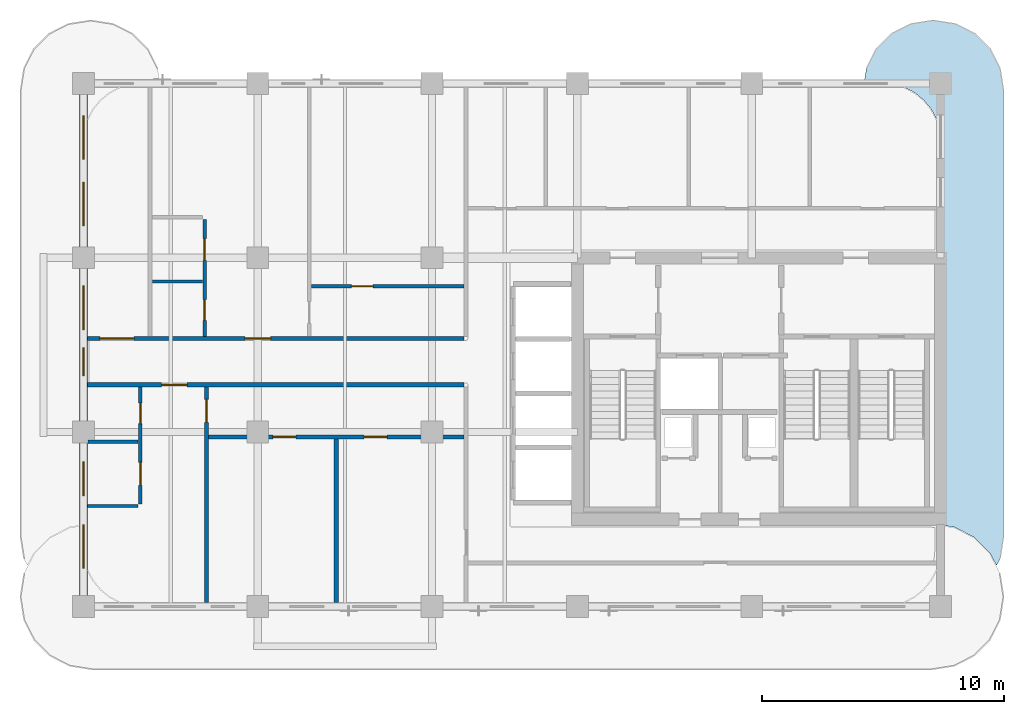
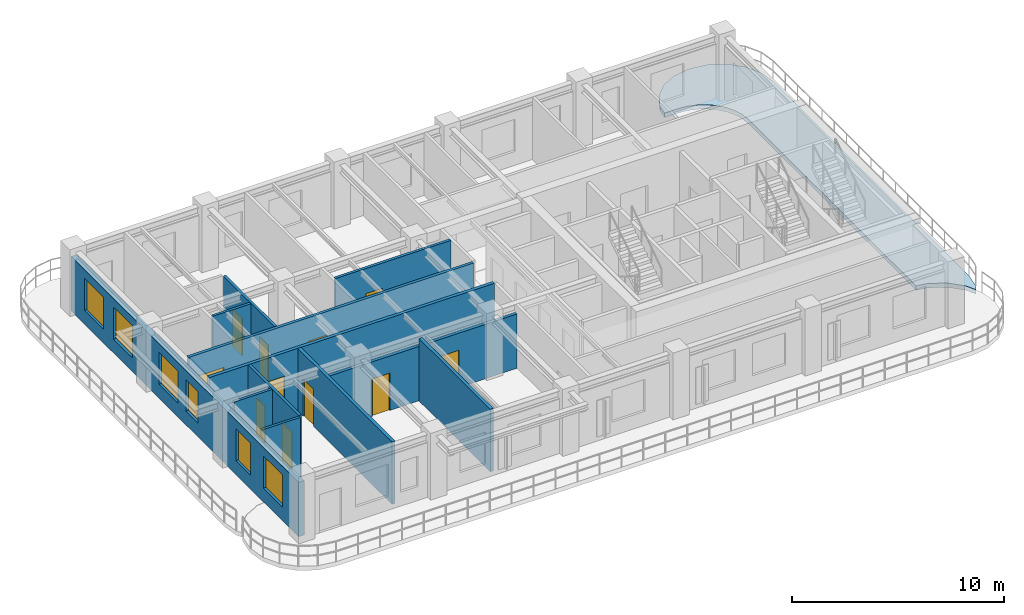
# One storey, part 2 of 7: 12 walls, 11 doors, 6 windows, 1 slab, 17 openings.
"""IFC4 building model written with IfcOpenShell, lengths in metres."""

from ifc_helpers import new_model, si_unit, derived_unit, direction, frame, frame_2d, origin, place, context, subcontext, project, spatial, polyline, rectangle, outline, extrude, source, transform, mapped, material, layer, layer_set, type_object, type_shapes, element, fill, save


model = new_model("IFC4")

# Units and contexts
model_context = context("Model", 3, precision=1e-05, world=origin(), true_north=direction((0.0, 1.0)))
body_context = subcontext(model_context, "Body", "Model", "MODEL_VIEW")
ifc_project = project(units=[si_unit("LENGTHUNIT", "METRE"), si_unit("AREAUNIT", "SQUARE_METRE"), si_unit("VOLUMEUNIT", "CUBIC_METRE"), si_unit("PLANEANGLEUNIT", "RADIAN"), si_unit("MASSUNIT", "GRAM", prefix="KILO"), si_unit("THERMODYNAMICTEMPERATUREUNIT", "KELVIN"), si_unit("POWERUNIT", "WATT"), derived_unit("THERMALTRANSMITTANCEUNIT", [(si_unit("POWERUNIT", "WATT"), 1), (si_unit("AREAUNIT", "SQUARE_METRE"), -1), (si_unit("THERMODYNAMICTEMPERATUREUNIT", "KELVIN"), -1)])], contexts=[model_context])

# Site, building, storey
site_placement = place(None, origin())
site = spatial("IfcSite", under=ifc_project, at=site_placement, CompositionType="ELEMENT")
building_placement = place(site_placement, origin())
building = spatial("IfcBuilding", under=site, at=building_placement, Name="Zahravan Archway Hotel and Residences", CompositionType="ELEMENT")
storey_placement = place(building_placement, frame((0.0, 0.0, 217.300048828125)))
storey = spatial("IfcBuildingStorey", under=building, at=storey_placement, Name="L54", CompositionType="ELEMENT", Elevation=217.300048828125)

# Slab
ifc_material_1 = material(Name="Concrete C45/55", Category="concrete")
ifc_layer_1 = layer(ifc_material_1, 0.25, Name="Concrete C45/55", Category="concrete")
ifc_layer_set_1 = layer_set([ifc_layer_1], Name="Concrete C45/55")
slab_type = type_object("IfcSlabType", Name="SLB-BALC-250", PredefinedType="FLOOR", material=ifc_layer_set_1)
slab_placement = place(storey_placement, frame((0.0, 0.0, -0.25)))
element("IfcSlab", 1, at=slab_placement, inside=storey, type_object=slab_type, Name="L54 Wing A East Rounded Balcony Band", PredefinedType="FLOOR", context=body_context, shape_type="SweptSolid", body=[
    extrude(outline(polyline([(46.739501953125, 22.230712890625), (47.144287109375, 23.025146484375), (47.77490234375, 23.65576171875), (48.5693359375, 24.060546875), (49.449951171875, 24.199951171875), (49.550048828125, 24.199951171875), (50.4306640625, 24.060546875), (51.22509765625, 23.65576171875), (51.855712890625, 23.025146484375), (52.260498046875, 22.230712890625), (52.39990234375, 21.35009765625), (52.39990234375, 2.85009765625), (52.260498046875, 1.96923828125), (52.114501953125, 1.6826171875), (51.8544921875, 2.193115234375), (51.853515625, 2.19482421875), (51.85205078125, 2.196533203125), (51.8505859375, 2.197998046875), (51.197998046875, 2.8505859375), (51.196533203125, 2.85205078125), (51.19482421875, 2.853515625), (51.193115234375, 2.8544921875), (50.37060546875, 3.2734375), (50.368896484375, 3.2744140625), (50.36669921875, 3.27490234375), (50.36474609375, 3.275390625), (49.822998046875, 3.361083984375), (49.8212890625, 3.361328125), (49.820068359375, 3.361328125), (49.820068359375, 19.199951171875), (49.81982421875, 19.201904296875), (49.773681640625, 19.670166015625), (49.7734375, 19.672119140625), (49.77294921875, 19.674072265625), (49.636474609375, 20.124267578125), (49.6357421875, 20.126220703125), (49.635009765625, 20.127685546875), (49.4130859375, 20.542724609375), (49.412109375, 20.54443359375), (49.410888671875, 20.546142578125), (49.112548828125, 20.909912109375), (49.111083984375, 20.9111328125), (49.10986328125, 20.91259765625), (48.74609375, 21.2109375), (48.744384765625, 21.212158203125), (48.742919921875, 21.213134765625), (48.327880859375, 21.434814453125), (48.326171875, 21.435791015625), (48.32421875, 21.436279296875), (47.8740234375, 21.572998046875), (47.8720703125, 21.573486328125), (47.8701171875, 21.57373046875), (47.402099609375, 21.619873046875), (47.39990234375, 21.6201171875), (46.642822265625, 21.6201171875), (46.739501953125, 22.230712890625)])), origin(), (0.0, 0.0, 1.0), 0.25),
])

# Wall, openings, windows
ifc_material_2 = material(Name="Agra Buff Sandstone & Insulated Backup", Category="masonry")
ifc_layer_2 = layer(ifc_material_2, 0.320068359375, Name="Agra Buff Sandstone & Insulated Backup", Category="masonry")
ifc_layer_set_2 = layer_set([ifc_layer_2], Name="Agra Buff Sandstone & Insulated Backup")
wall_type_1 = type_object("IfcWallType", Name="EW-SAND-320", PredefinedType="SOLIDWALL", material=ifc_layer_set_2)
wall_1_placement = place(storey_placement, frame((14.39990234375, 0.050048828125, 0.0), z_axis=(0.0, 0.0, 1.0), x_axis=(0.0, 1.0, 0.0)))
wall_1 = element("IfcWall", 2, at=wall_1_placement, inside=storey, type_object=wall_type_1, Name="L54 Exterior Sandstone Wall WA-W", PredefinedType="SOLIDWALL", context=body_context, shape_type="SweptSolid", body=[
    extrude(rectangle(XDim=21.5, YDim=0.320068359375, at=frame_2d((10.75, 0.0))), origin(), (0.0, 0.0, 1.0), 3.135009765625),
])
opening_1_placement = place(wall_1_placement, frame((1.52099609375, 0.0, 0.800048828125)))
opening_1 = element("IfcOpeningElement", 3, at=opening_1_placement, cuts=wall_1, Name="Opening W-02", PredefinedType="OPENING", context=body_context, shape_type="SweptSolid", body=[
    extrude(rectangle(XDim=1.800048828125, YDim=1.85009765625, at=frame_2d((0.89990234375, 0.925048828125))), frame((0.0, 0.169921875, 0.0), z_axis=(0.0, -1.0, 0.0), x_axis=(1.0, 0.0, 0.0)), (0.0, 0.0, 1.0), 0.340087890625),
])
opening_2_placement = place(wall_1_placement, frame((4.529052734375, 0.0, 0.800048828125)))
opening_2 = element("IfcOpeningElement", 4, at=opening_2_placement, cuts=wall_1, Name="Opening W-03", PredefinedType="OPENING", context=body_context, shape_type="SweptSolid", body=[
    extrude(rectangle(XDim=1.39990234375, YDim=1.85009765625, at=frame_2d((0.699951171875, 0.925048828125))), frame((0.0, 0.169921875, 0.0), z_axis=(0.0, -1.0, 0.0), x_axis=(1.0, 0.0, 0.0)), (0.0, 0.0, 1.0), 0.340087890625),
])
opening_3_placement = place(wall_1_placement, frame((9.485107421875, 0.0, 0.800048828125)))
opening_3 = element("IfcOpeningElement", 5, at=opening_3_placement, cuts=wall_1, Name="Opening W-05", PredefinedType="OPENING", context=body_context, shape_type="SweptSolid", body=[
    extrude(rectangle(XDim=1.14990234375, YDim=1.800048828125, at=frame_2d((0.574951171875, 0.89990234375))), frame((0.0, 0.169921875, 0.0), z_axis=(0.0, -1.0, 0.0), x_axis=(1.0, 0.0, 0.0)), (0.0, 0.0, 1.0), 0.340087890625),
])
opening_4_placement = place(wall_1_placement, frame((11.388916015625, 0.0, 0.800048828125)))
opening_4 = element("IfcOpeningElement", 6, at=opening_4_placement, cuts=wall_1, Name="Opening W-02", PredefinedType="OPENING", context=body_context, shape_type="SweptSolid", body=[
    extrude(rectangle(XDim=1.800048828125, YDim=1.85009765625, at=frame_2d((0.89990234375, 0.925048828125))), frame((0.0, 0.169921875, 0.0), z_axis=(0.0, -1.0, 0.0), x_axis=(1.0, 0.0, 0.0)), (0.0, 0.0, 1.0), 0.340087890625),
])
opening_5_placement = place(wall_1_placement, frame((15.675048828125, 0.0, 0.800048828125)))
opening_5 = element("IfcOpeningElement", 7, at=opening_5_placement, cuts=wall_1, Name="Opening W-02", PredefinedType="OPENING", context=body_context, shape_type="SweptSolid", body=[
    extrude(rectangle(XDim=1.800048828125, YDim=1.85009765625, at=frame_2d((0.89990234375, 0.925048828125))), frame((0.0, 0.169921875, 0.0), z_axis=(0.0, -1.0, 0.0), x_axis=(1.0, 0.0, 0.0)), (0.0, 0.0, 1.0), 0.340087890625),
])
opening_6_placement = place(wall_1_placement, frame((18.425048828125, 0.0, 0.800048828125)))
opening_6 = element("IfcOpeningElement", 8, at=opening_6_placement, cuts=wall_1, Name="Opening W-02", PredefinedType="OPENING", context=body_context, shape_type="SweptSolid", body=[
    extrude(rectangle(XDim=1.800048828125, YDim=1.85009765625, at=frame_2d((0.89990234375, 0.925048828125))), frame((0.0, 0.169921875, 0.0), z_axis=(0.0, -1.0, 0.0), x_axis=(1.0, 0.0, 0.0)), (0.0, 0.0, 1.0), 0.340087890625),
])
ifc_material_3 = material(Name="Bronze-Anodized Thermal-Break Aluminium & Low-E Glass", Category="aluminium")
window_type_1 = type_object("IfcWindowType", Name="WIN-TWR-1400", PartitioningType="SINGLE_PANEL", PredefinedType="WINDOW", material=ifc_material_3)
shared_shape_1 = source(origin(), body_context, "Body", "SweptSolid", [
    extrude(rectangle(XDim=1.39990234375, YDim=1.85009765625, at=frame_2d((0.699951171875, 0.925048828125))), frame((0.0, 0.030029296875, 0.0), z_axis=(0.0, -1.0, 0.0), x_axis=(1.0, 0.0, 0.0)), (0.0, 0.0, 1.0), 0.06005859375),
])
type_shapes(window_type_1, [shared_shape_1])
window_1_placement = place(opening_2_placement, origin())
window_1 = element("IfcWindow", 9, at=window_1_placement, inside=storey, type_object=window_type_1, Name="L54 Loggia Window 20", OverallHeight=1.85009765625, OverallWidth=1.39990234375, PartitioningType="SINGLE_PANEL", PredefinedType="WINDOW", context=body_context, shape_type="MappedRepresentation", body=[
    mapped(shared_shape_1, transform((0.0, 0.0, 0.0), scale=1.0)),
])
fill(opening_2, window_1)
window_type_2 = type_object("IfcWindowType", Name="WIN-TWR-1800", PartitioningType="DOUBLE_PANEL_VERTICAL", PredefinedType="WINDOW", material=ifc_material_3)
shared_shape_2 = source(origin(), body_context, "Body", "SweptSolid", [
    extrude(rectangle(XDim=1.800048828125, YDim=1.85009765625, at=frame_2d((0.89990234375, 0.925048828125))), frame((0.0, 0.030029296875, 0.0), z_axis=(0.0, -1.0, 0.0), x_axis=(1.0, 0.0, 0.0)), (0.0, 0.0, 1.0), 0.06005859375),
])
type_shapes(window_type_2, [shared_shape_2])
window_2_placement = place(opening_1_placement, origin())
window_2 = element("IfcWindow", 10, at=window_2_placement, inside=storey, type_object=window_type_2, Name="L54 Loggia Window 19", OverallHeight=1.85009765625, OverallWidth=1.800048828125, PartitioningType="DOUBLE_PANEL_VERTICAL", PredefinedType="WINDOW", context=body_context, shape_type="MappedRepresentation", body=[
    mapped(shared_shape_2, transform((0.0, 0.0, 0.0), scale=1.0)),
])
fill(opening_1, window_2)
window_3_placement = place(opening_4_placement, origin())
window_3 = element("IfcWindow", 11, at=window_3_placement, inside=storey, type_object=window_type_2, Name="L54 Loggia Window 22", OverallHeight=1.85009765625, OverallWidth=1.800048828125, PartitioningType="DOUBLE_PANEL_VERTICAL", PredefinedType="WINDOW", context=body_context, shape_type="MappedRepresentation", body=[
    mapped(shared_shape_2, transform((0.0, 0.0, 0.0), scale=1.0)),
])
fill(opening_4, window_3)
window_4_placement = place(opening_5_placement, origin())
window_4 = element("IfcWindow", 12, at=window_4_placement, inside=storey, type_object=window_type_2, Name="L54 Loggia Window 23", OverallHeight=1.85009765625, OverallWidth=1.800048828125, PartitioningType="DOUBLE_PANEL_VERTICAL", PredefinedType="WINDOW", context=body_context, shape_type="MappedRepresentation", body=[
    mapped(shared_shape_2, transform((0.0, 0.0, 0.0), scale=1.0)),
])
fill(opening_5, window_4)
window_5_placement = place(opening_6_placement, origin())
window_5 = element("IfcWindow", 13, at=window_5_placement, inside=storey, type_object=window_type_2, Name="L54 Loggia Window 24", OverallHeight=1.85009765625, OverallWidth=1.800048828125, PartitioningType="DOUBLE_PANEL_VERTICAL", PredefinedType="WINDOW", context=body_context, shape_type="MappedRepresentation", body=[
    mapped(shared_shape_2, transform((0.0, 0.0, 0.0), scale=1.0)),
])
fill(opening_6, window_5)
window_type_3 = type_object("IfcWindowType", Name="WIN-TWR-1150", PartitioningType="SINGLE_PANEL", PredefinedType="WINDOW", material=ifc_material_3)
shared_shape_3 = source(origin(), body_context, "Body", "SweptSolid", [
    extrude(rectangle(XDim=1.14990234375, YDim=1.800048828125, at=frame_2d((0.574951171875, 0.89990234375))), frame((0.0, 0.030029296875, 0.0), z_axis=(0.0, -1.0, 0.0), x_axis=(1.0, 0.0, 0.0)), (0.0, 0.0, 1.0), 0.06005859375),
])
type_shapes(window_type_3, [shared_shape_3])
window_6_placement = place(opening_3_placement, origin())
window_6 = element("IfcWindow", 14, at=window_6_placement, inside=storey, type_object=window_type_3, Name="L54 Loggia Window 21", OverallHeight=1.800048828125, OverallWidth=1.14990234375, PartitioningType="SINGLE_PANEL", PredefinedType="WINDOW", context=body_context, shape_type="MappedRepresentation", body=[
    mapped(shared_shape_3, transform((0.0, 0.0, 0.0), scale=1.0)),
])
fill(opening_3, window_6)

# Wall, openings, doors
ifc_material_4 = material(Name="Fire-Rated Gypsum & Concrete Block", Category="concrete")
ifc_layer_3 = layer(ifc_material_4, 0.159912109375, Name="Fire-Rated Gypsum & Concrete Block", Category="concrete")
ifc_layer_set_3 = layer_set([ifc_layer_3], Name="Fire-Rated Gypsum & Concrete Block")
wall_type_2 = type_object("IfcWallType", Name="PW-CORR-160", PredefinedType="PARTITIONING", material=ifc_layer_set_3)
wall_2_placement = place(storey_placement, frame((14.568115234375, 11.070068359375, 0.0), z_axis=(0.0, 0.0, 1.0), x_axis=(1.0, 0.0, 0.0)))
wall_2 = element("IfcWall", 15, at=wall_2_placement, inside=storey, type_object=wall_type_2, Name="L54 Partition WA-CN", PredefinedType="PARTITIONING", context=body_context, shape_type="SweptSolid", body=[
    extrude(rectangle(XDim=15.5419921875, YDim=0.159912109375, at=frame_2d((7.77099609375, 0.0))), origin(), (0.0, 0.0, 1.0), 3.599853515625),
])
opening_7_placement = place(wall_2_placement, frame((0.507080078125, 0.0, 0.0)))
opening_7 = element("IfcOpeningElement", 16, at=opening_7_placement, cuts=wall_2, Name="Opening D-P1", PredefinedType="OPENING", context=body_context, shape_type="SweptSolid", body=[
    extrude(rectangle(XDim=1.39990234375, YDim=2.35009765625, at=frame_2d((0.699951171875, 1.175048828125))), frame((0.0, 0.08984375, 0.0), z_axis=(0.0, -1.0, 0.0), x_axis=(1.0, 0.0, 0.0)), (0.0, 0.0, 1.0), 0.179931640625),
])
opening_8_placement = place(wall_2_placement, frame((6.507080078125, 0.0, 0.0)))
opening_8 = element("IfcOpeningElement", 17, at=opening_8_placement, cuts=wall_2, Name="Opening D-U1", PredefinedType="OPENING", context=body_context, shape_type="SweptSolid", body=[
    extrude(rectangle(XDim=1.050048828125, YDim=2.25, at=frame_2d((0.52490234375, 1.125))), frame((0.0, 0.08984375, 0.0), z_axis=(0.0, -1.0, 0.0), x_axis=(1.0, 0.0, 0.0)), (0.0, 0.0, 1.0), 0.179931640625),
])
ifc_material_5 = material(Name="Bronze-Anodized Glazed Aluminium", Category="aluminium")
door_type_1 = type_object("IfcDoorType", Name="ID-PUBLIC-1400", OperationType="DOUBLE_DOOR_SINGLE_SWING", PredefinedType="DOOR", material=ifc_material_5)
shared_shape_4 = source(origin(), body_context, "Body", "SweptSolid", [
    extrude(rectangle(XDim=1.39990234375, YDim=2.35009765625, at=frame_2d((0.699951171875, 1.175048828125))), frame((0.0, 0.02490234375, 0.0), z_axis=(0.0, -1.0, 0.0), x_axis=(1.0, 0.0, 0.0)), (0.0, 0.0, 1.0), 0.050048828125),
])
type_shapes(door_type_1, [shared_shape_4])
door_1_placement = place(opening_7_placement, origin())
door_1 = element("IfcDoor", 18, at=door_1_placement, inside=storey, type_object=door_type_1, Name="L54 North Sky Fitness Door", OperationType="DOUBLE_DOOR_SINGLE_SWING", OverallHeight=2.35009765625, OverallWidth=1.39990234375, PredefinedType="DOOR", context=body_context, shape_type="MappedRepresentation", body=[
    mapped(shared_shape_4, transform((0.0, 0.0, 0.0), scale=1.0)),
])
fill(opening_7, door_1)
ifc_material_6 = material(Name="Hardwood Veneer Timber", Category="wood")
door_type_2 = type_object("IfcDoorType", Name="ID-UNIT-1050", OperationType="NOTDEFINED", PredefinedType="DOOR", material=ifc_material_6)
shared_shape_5 = source(origin(), body_context, "Body", "SweptSolid", [
    extrude(rectangle(XDim=1.050048828125, YDim=2.25, at=frame_2d((0.52490234375, 1.125))), frame((0.0, 0.02490234375, 0.0), z_axis=(0.0, -1.0, 0.0), x_axis=(1.0, 0.0, 0.0)), (0.0, 0.0, 1.0), 0.050048828125),
])
type_shapes(door_type_2, [shared_shape_5])
door_2_placement = place(opening_8_placement, origin())
door_2 = element("IfcDoor", 19, at=door_2_placement, inside=storey, type_object=door_type_2, Name="L54 Flat N1 Entrance Door", OperationType="SINGLE_SWING_LEFT", OverallHeight=2.25, OverallWidth=1.050048828125, PredefinedType="DOOR", context=body_context, shape_type="MappedRepresentation", body=[
    mapped(shared_shape_5, transform((0.0, 0.0, 0.0), scale=1.0)),
])
fill(opening_8, door_2)

# Wall, opening, door
ifc_layer_4 = layer(ifc_material_4, 0.179931640625, Name="Fire-Rated Gypsum & Concrete Block", Category="concrete")
ifc_layer_set_4 = layer_set([ifc_layer_4], Name="Fire-Rated Gypsum & Concrete Block")
wall_type_3 = type_object("IfcWallType", Name="PW-CORR-180", PredefinedType="PARTITIONING", material=ifc_layer_set_4)
wall_3_placement = place(storey_placement, frame((14.568115234375, 9.14990234375, 0.0), z_axis=(0.0, 0.0, 1.0), x_axis=(1.0, 0.0, 0.0)))
wall_3 = element("IfcWall", 20, at=wall_3_placement, inside=storey, type_object=wall_type_3, Name="L54 Partition WA-CS", PredefinedType="PARTITIONING", context=body_context, shape_type="SweptSolid", body=[
    extrude(rectangle(XDim=15.5419921875, YDim=0.179931640625, at=frame_2d((7.77099609375, 0.0))), origin(), (0.0, 0.0, 1.0), 3.599853515625),
])
opening_9_placement = place(wall_3_placement, frame((3.06201171875, 0.0, 0.0)))
opening_9 = element("IfcOpeningElement", 21, at=opening_9_placement, cuts=wall_3, Name="Opening D-U1", PredefinedType="OPENING", context=body_context, shape_type="SweptSolid", body=[
    extrude(rectangle(XDim=1.050048828125, YDim=2.25, at=frame_2d((0.52490234375, 1.125))), frame((0.0, 0.10009765625, 0.0), z_axis=(0.0, -1.0, 0.0), x_axis=(1.0, 0.0, 0.0)), (0.0, 0.0, 1.0), 0.199951171875),
])
door_3_placement = place(opening_9_placement, origin())
door_3 = element("IfcDoor", 22, at=door_3_placement, inside=storey, type_object=door_type_2, Name="L54 Flat S1 Entrance Door", OperationType="SINGLE_SWING_LEFT", OverallHeight=2.25, OverallWidth=1.050048828125, PredefinedType="DOOR", context=body_context, shape_type="MappedRepresentation", body=[
    mapped(shared_shape_5, transform((0.0, 0.0, 0.0), scale=1.0)),
])
fill(opening_9, door_3)

ifc_material_7 = material(Name="Acoustic Stud Partition")
ifc_layer_5 = layer(ifc_material_7, 0.14990234375, Name="Acoustic Stud Partition")
ifc_layer_set_5 = layer_set([ifc_layer_5], Name="Acoustic Stud Partition")
wall_type_4 = type_object("IfcWallType", Name="PW-UNIT-150", PredefinedType="PARTITIONING", material=ifc_layer_set_5)
wall_4_placement = place(storey_placement, frame((23.81005859375, 13.219970703125, 0.0), z_axis=(0.0, 0.0, 1.0), x_axis=(1.0, 0.0, 0.0)))
wall_4 = element("IfcWall", 23, at=wall_4_placement, inside=storey, type_object=wall_type_4, Name="L54 Partition FL-N1-GH", PredefinedType="PARTITIONING", context=body_context, shape_type="SweptSolid", body=[
    extrude(rectangle(XDim=6.300048828125, YDim=0.14990234375, at=frame_2d((3.14990234375, 0.0))), origin(), (0.0, 0.0, 1.0), 3.599853515625),
])
opening_10_placement = place(wall_4_placement, frame((1.64990234375, 0.0, 0.0)))
opening_10 = element("IfcOpeningElement", 24, at=opening_10_placement, cuts=wall_4, Name="Opening D-I2", PredefinedType="OPENING", context=body_context, shape_type="SweptSolid", body=[
    extrude(rectangle(XDim=0.89990234375, YDim=2.14990234375, at=frame_2d((0.449951171875, 1.074951171875))), frame((0.0, 0.0849609375, 0.0), z_axis=(0.0, -1.0, 0.0), x_axis=(1.0, 0.0, 0.0)), (0.0, 0.0, 1.0), 0.169921875),
])
door_type_3 = type_object("IfcDoorType", Name="ID-INT-900", OperationType="NOTDEFINED", PredefinedType="DOOR", material=ifc_material_6)
shared_shape_6 = source(origin(), body_context, "Body", "SweptSolid", [
    extrude(rectangle(XDim=0.89990234375, YDim=2.14990234375, at=frame_2d((0.449951171875, 1.074951171875))), frame((0.0, 0.02490234375, 0.0), z_axis=(0.0, -1.0, 0.0), x_axis=(1.0, 0.0, 0.0)), (0.0, 0.0, 1.0), 0.050048828125),
])
type_shapes(door_type_3, [shared_shape_6])
door_4_placement = place(opening_10_placement, origin())
door_4 = element("IfcDoor", 25, at=door_4_placement, inside=storey, type_object=door_type_3, Name="L54 Flat N1 Bedroom 1 Door", OperationType="SINGLE_SWING_LEFT", OverallHeight=2.14990234375, OverallWidth=0.89990234375, PredefinedType="DOOR", context=body_context, shape_type="MappedRepresentation", body=[
    mapped(shared_shape_6, transform((0.0, 0.0, 0.0), scale=1.0)),
])
fill(opening_10, door_4)

ifc_layer_6 = layer(ifc_material_7, 0.169921875, Name="Acoustic Stud Partition")
ifc_layer_set_6 = layer_set([ifc_layer_6], Name="Acoustic Stud Partition")
wall_type_5 = type_object("IfcWallType", Name="PW-UNIT-170", PredefinedType="PARTITIONING", material=ifc_layer_set_6)
wall_5_placement = place(storey_placement, frame((19.47998046875, 0.16796875, 0.0), z_axis=(0.0, 0.0, 1.0), x_axis=(0.0, 1.0, 0.0)))
wall_5 = element("IfcWall", 26, at=wall_5_placement, inside=storey, type_object=wall_type_5, Name="L54 Partition FL-S1-SP", PredefinedType="PARTITIONING", context=body_context, shape_type="SweptSolid", body=[
    extrude(rectangle(XDim=8.89208984375, YDim=0.169921875, at=frame_2d((4.446044921875, 0.0))), origin(), (0.0, 0.0, 1.0), 3.599853515625),
])
opening_11_placement = place(wall_5_placement, frame((7.431884765625, 0.0, 0.0)))
opening_11 = element("IfcOpeningElement", 27, at=opening_11_placement, cuts=wall_5, Name="Opening D-I1", PredefinedType="OPENING", context=body_context, shape_type="SweptSolid", body=[
    extrude(rectangle(XDim=0.949951171875, YDim=2.14990234375, at=frame_2d((0.47509765625, 1.074951171875))), frame((0.0, 0.094970703125, 0.0), z_axis=(0.0, -1.0, 0.0), x_axis=(1.0, 0.0, 0.0)), (0.0, 0.0, 1.0), 0.18994140625),
])
door_type_4 = type_object("IfcDoorType", Name="ID-INT-950", OperationType="NOTDEFINED", PredefinedType="DOOR", material=ifc_material_6)
shared_shape_7 = source(origin(), body_context, "Body", "SweptSolid", [
    extrude(rectangle(XDim=0.949951171875, YDim=2.14990234375, at=frame_2d((0.47509765625, 1.074951171875))), frame((0.0, 0.02490234375, 0.0), z_axis=(0.0, -1.0, 0.0), x_axis=(1.0, 0.0, 0.0)), (0.0, 0.0, 1.0), 0.050048828125),
])
type_shapes(door_type_4, [shared_shape_7])
door_5_placement = place(opening_11_placement, origin())
door_5 = element("IfcDoor", 28, at=door_5_placement, inside=storey, type_object=door_type_4, Name="L54 Flat S1 Bedroom Hall Door", OperationType="SINGLE_SWING_RIGHT", OverallHeight=2.14990234375, OverallWidth=0.949951171875, PredefinedType="DOOR", context=body_context, shape_type="MappedRepresentation", body=[
    mapped(shared_shape_7, transform((0.0, 0.0, 0.0), scale=1.0)),
])
fill(opening_11, door_5)

# Wall, openings, doors
wall_6_placement = place(storey_placement, frame((19.570068359375, 7.0, 0.0), z_axis=(0.0, 0.0, 1.0), x_axis=(1.0, 0.0, 0.0)))
wall_6 = element("IfcWall", 29, at=wall_6_placement, inside=storey, type_object=wall_type_5, Name="L54 Partition FL-S1-GH", PredefinedType="PARTITIONING", context=body_context, shape_type="SweptSolid", body=[
    extrude(rectangle(XDim=10.5400390625, YDim=0.169921875, at=frame_2d((5.27001953125, 0.0))), origin(), (0.0, 0.0, 1.0), 3.135009765625),
])
opening_12_placement = place(wall_6_placement, frame((2.6552734375, 0.0, 0.0)))
opening_12 = element("IfcOpeningElement", 30, at=opening_12_placement, cuts=wall_6, Name="Opening D-I1", PredefinedType="OPENING", context=body_context, shape_type="SweptSolid", body=[
    extrude(rectangle(XDim=0.949951171875, YDim=2.14990234375, at=frame_2d((0.47509765625, 1.074951171875))), frame((0.0, 0.094970703125, 0.0), z_axis=(0.0, -1.0, 0.0), x_axis=(1.0, 0.0, 0.0)), (0.0, 0.0, 1.0), 0.18994140625),
])
opening_13_placement = place(wall_6_placement, frame((6.425048828125, 0.0, 0.0)))
opening_13 = element("IfcOpeningElement", 31, at=opening_13_placement, cuts=wall_6, Name="Opening D-I1", PredefinedType="OPENING", context=body_context, shape_type="SweptSolid", body=[
    extrude(rectangle(XDim=0.949951171875, YDim=2.14990234375, at=frame_2d((0.47509765625, 1.074951171875))), frame((0.0, 0.094970703125, 0.0), z_axis=(0.0, -1.0, 0.0), x_axis=(1.0, 0.0, 0.0)), (0.0, 0.0, 1.0), 0.18994140625),
])
door_6_placement = place(opening_12_placement, origin())
door_6 = element("IfcDoor", 32, at=door_6_placement, inside=storey, type_object=door_type_4, Name="L54 Flat S1 Bedroom 1 Door", OperationType="SINGLE_SWING_RIGHT", OverallHeight=2.14990234375, OverallWidth=0.949951171875, PredefinedType="DOOR", context=body_context, shape_type="MappedRepresentation", body=[
    mapped(shared_shape_7, transform((0.0, 0.0, 0.0), scale=1.0)),
])
fill(opening_12, door_6)
door_7_placement = place(opening_13_placement, origin())
door_7 = element("IfcDoor", 33, at=door_7_placement, inside=storey, type_object=door_type_4, Name="L54 Flat S1 Bedroom 2 Door", OperationType="SINGLE_SWING_RIGHT", OverallHeight=2.14990234375, OverallWidth=0.949951171875, PredefinedType="DOOR", context=body_context, shape_type="MappedRepresentation", body=[
    mapped(shared_shape_7, transform((0.0, 0.0, 0.0), scale=1.0)),
])
fill(opening_13, door_7)

# Wall
wall_7_placement = place(storey_placement, frame((24.840087890625, 0.16796875, 0.0), z_axis=(0.0, 0.0, 1.0), x_axis=(0.0, 1.0, 0.0)))
element("IfcWall", 34, at=wall_7_placement, inside=storey, type_object=wall_type_5, Name="L54 Partition FL-S1-BD1", PredefinedType="PARTITIONING", context=body_context, shape_type="SweptSolid", body=[
    extrude(rectangle(XDim=6.741943359375, YDim=0.169921875, at=frame_2d((3.37109375, 0.0))), origin(), (0.0, 0.0, 1.0), 3.599853515625),
])

# Wall, openings, doors
ifc_material_8 = material(Name="Moisture-Resistant Blockwork", Category="masonry")
ifc_layer_7 = layer(ifc_material_8, 0.139892578125, Name="Moisture-Resistant Blockwork", Category="masonry")
ifc_layer_set_7 = layer_set([ifc_layer_7], Name="Moisture-Resistant Blockwork")
wall_type_6 = type_object("IfcWallType", Name="PW-WET-140", PredefinedType="PARTITIONING", material=ifc_layer_set_7)
wall_8_placement = place(storey_placement, frame((16.75, 4.239990234375, 0.0), z_axis=(0.0, 0.0, 1.0), x_axis=(0.0, 1.0, 0.0)))
wall_8 = element("IfcWall", 35, at=wall_8_placement, inside=storey, type_object=wall_type_6, Name="L54 Partition FL-S1-BV", PredefinedType="PARTITIONING", context=body_context, shape_type="SweptSolid", body=[
    extrude(rectangle(XDim=4.820068359375, YDim=0.139892578125, at=frame_2d((2.41015625, 0.0))), origin(), (0.0, 0.0, 1.0), 3.599853515625),
])
opening_14_placement = place(wall_8_placement, frame((0.760009765625, 0.0, 0.0)))
opening_14 = element("IfcOpeningElement", 36, at=opening_14_placement, cuts=wall_8, Name="Opening D-I1", PredefinedType="OPENING", context=body_context, shape_type="SweptSolid", body=[
    extrude(rectangle(XDim=0.949951171875, YDim=2.14990234375, at=frame_2d((0.47509765625, 1.074951171875))), frame((0.0, 0.080078125, 0.0), z_axis=(0.0, -1.0, 0.0), x_axis=(1.0, 0.0, 0.0)), (0.0, 0.0, 1.0), 0.159912109375),
])
opening_15_placement = place(wall_8_placement, frame((3.31005859375, 0.0, 0.0)))
opening_15 = element("IfcOpeningElement", 37, at=opening_15_placement, cuts=wall_8, Name="Opening D-B1", PredefinedType="OPENING", context=body_context, shape_type="SweptSolid", body=[
    extrude(rectangle(XDim=0.85009765625, YDim=2.10009765625, at=frame_2d((0.425048828125, 1.050048828125))), frame((0.0, 0.080078125, 0.0), z_axis=(0.0, -1.0, 0.0), x_axis=(1.0, 0.0, 0.0)), (0.0, 0.0, 1.0), 0.159912109375),
])
door_type_5 = type_object("IfcDoorType", Name="ID-BATH-850", OperationType="NOTDEFINED", PredefinedType="DOOR", material=ifc_material_6)
shared_shape_8 = source(origin(), body_context, "Body", "SweptSolid", [
    extrude(rectangle(XDim=0.85009765625, YDim=2.10009765625, at=frame_2d((0.425048828125, 1.050048828125))), frame((0.0, 0.02490234375, 0.0), z_axis=(0.0, -1.0, 0.0), x_axis=(1.0, 0.0, 0.0)), (0.0, 0.0, 1.0), 0.050048828125),
])
type_shapes(door_type_5, [shared_shape_8])
door_8_placement = place(opening_15_placement, origin())
door_8 = element("IfcDoor", 38, at=door_8_placement, inside=storey, type_object=door_type_5, Name="L54 Flat S1 Bathroom Door", OperationType="SINGLE_SWING_RIGHT", OverallHeight=2.10009765625, OverallWidth=0.85009765625, PredefinedType="DOOR", context=body_context, shape_type="MappedRepresentation", body=[
    mapped(shared_shape_8, transform((0.0, 0.0, 0.0), scale=1.0)),
])
fill(opening_15, door_8)
door_9_placement = place(opening_14_placement, origin())
door_9 = element("IfcDoor", 39, at=door_9_placement, inside=storey, type_object=door_type_4, Name="L54 Flat S1 Kitchen Door", OperationType="SINGLE_SWING_LEFT", OverallHeight=2.14990234375, OverallWidth=0.949951171875, PredefinedType="DOOR", context=body_context, shape_type="MappedRepresentation", body=[
    mapped(shared_shape_7, transform((0.0, 0.0, 0.0), scale=1.0)),
])
fill(opening_14, door_9)

# Walls
wall_9_placement = place(storey_placement, frame((14.590087890625, 6.800048828125, 0.0), z_axis=(0.0, 0.0, 1.0), x_axis=(1.0, 0.0, 0.0)))
element("IfcWall", 40, at=wall_9_placement, inside=storey, type_object=wall_type_6, Name="L54 Partition FL-S1-BM", PredefinedType="PARTITIONING", context=body_context, shape_type="SweptSolid", body=[
    extrude(rectangle(XDim=2.06982421875, YDim=0.139892578125, at=frame_2d((1.034912109375, 0.0))), origin(), (0.0, 0.0, 1.0), 3.599853515625),
])
wall_10_placement = place(storey_placement, frame((14.568115234375, 4.14990234375, 0.0), z_axis=(0.0, 0.0, 1.0), x_axis=(1.0, 0.0, 0.0)))
element("IfcWall", 41, at=wall_10_placement, inside=storey, type_object=wall_type_6, Name="L54 Partition FL-S1-KH", PredefinedType="PARTITIONING", context=body_context, shape_type="SweptSolid", body=[
    extrude(rectangle(XDim=2.091796875, YDim=0.139892578125, at=frame_2d((1.0458984375, 0.0))), origin(), (0.0, 0.0, 1.0), 3.599853515625),
])

# Wall, openings, doors
wall_11_placement = place(storey_placement, frame((19.39990234375, 11.159912109375, 0.0), z_axis=(0.0, 0.0, 1.0), x_axis=(0.0, 1.0, 0.0)))
wall_11 = element("IfcWall", 42, at=wall_11_placement, inside=storey, type_object=wall_type_6, Name="L54 Partition FL-N1-BV", PredefinedType="PARTITIONING", context=body_context, shape_type="SweptSolid", body=[
    extrude(rectangle(XDim=4.820068359375, YDim=0.139892578125, at=frame_2d((2.41015625, 0.0))), origin(), (0.0, 0.0, 1.0), 3.599853515625),
])
opening_16_placement = place(wall_11_placement, frame((0.659912109375, 0.0, 0.0)))
opening_16 = element("IfcOpeningElement", 43, at=opening_16_placement, cuts=wall_11, Name="Opening D-B1", PredefinedType="OPENING", context=body_context, shape_type="SweptSolid", body=[
    extrude(rectangle(XDim=0.85009765625, YDim=2.10009765625, at=frame_2d((0.425048828125, 1.050048828125))), frame((0.0, 0.080078125, 0.0), z_axis=(0.0, -1.0, 0.0), x_axis=(1.0, 0.0, 0.0)), (0.0, 0.0, 1.0), 0.159912109375),
])
opening_17_placement = place(wall_11_placement, frame((3.135009765625, 0.0, 0.0)))
opening_17 = element("IfcOpeningElement", 44, at=opening_17_placement, cuts=wall_11, Name="Opening D-I2", PredefinedType="OPENING", context=body_context, shape_type="SweptSolid", body=[
    extrude(rectangle(XDim=0.89990234375, YDim=2.14990234375, at=frame_2d((0.449951171875, 1.074951171875))), frame((0.0, 0.080078125, 0.0), z_axis=(0.0, -1.0, 0.0), x_axis=(1.0, 0.0, 0.0)), (0.0, 0.0, 1.0), 0.159912109375),
])
door_10_placement = place(opening_16_placement, origin())
door_10 = element("IfcDoor", 45, at=door_10_placement, inside=storey, type_object=door_type_5, Name="L54 Flat N1 Bathroom Door", OperationType="SINGLE_SWING_LEFT", OverallHeight=2.10009765625, OverallWidth=0.85009765625, PredefinedType="DOOR", context=body_context, shape_type="MappedRepresentation", body=[
    mapped(shared_shape_8, transform((0.0, 0.0, 0.0), scale=1.0)),
])
fill(opening_16, door_10)
door_11_placement = place(opening_17_placement, origin())
door_11 = element("IfcDoor", 46, at=door_11_placement, inside=storey, type_object=door_type_3, Name="L54 Flat N1 Kitchen Door", OperationType="SINGLE_SWING_RIGHT", OverallHeight=2.14990234375, OverallWidth=0.89990234375, PredefinedType="DOOR", context=body_context, shape_type="MappedRepresentation", body=[
    mapped(shared_shape_6, transform((0.0, 0.0, 0.0), scale=1.0)),
])
fill(opening_17, door_11)

# Wall
wall_12_placement = place(storey_placement, frame((17.239990234375, 13.419921875, 0.0), z_axis=(0.0, 0.0, 1.0), x_axis=(1.0, 0.0, 0.0)))
element("IfcWall", 47, at=wall_12_placement, inside=storey, type_object=wall_type_6, Name="L54 Partition FL-N1-BM", PredefinedType="PARTITIONING", context=body_context, shape_type="SweptSolid", body=[
    extrude(rectangle(XDim=2.070068359375, YDim=0.139892578125, at=frame_2d((1.03515625, 0.0))), origin(), (0.0, 0.0, 1.0), 3.599853515625),
])

save(model, "model.ifc")
